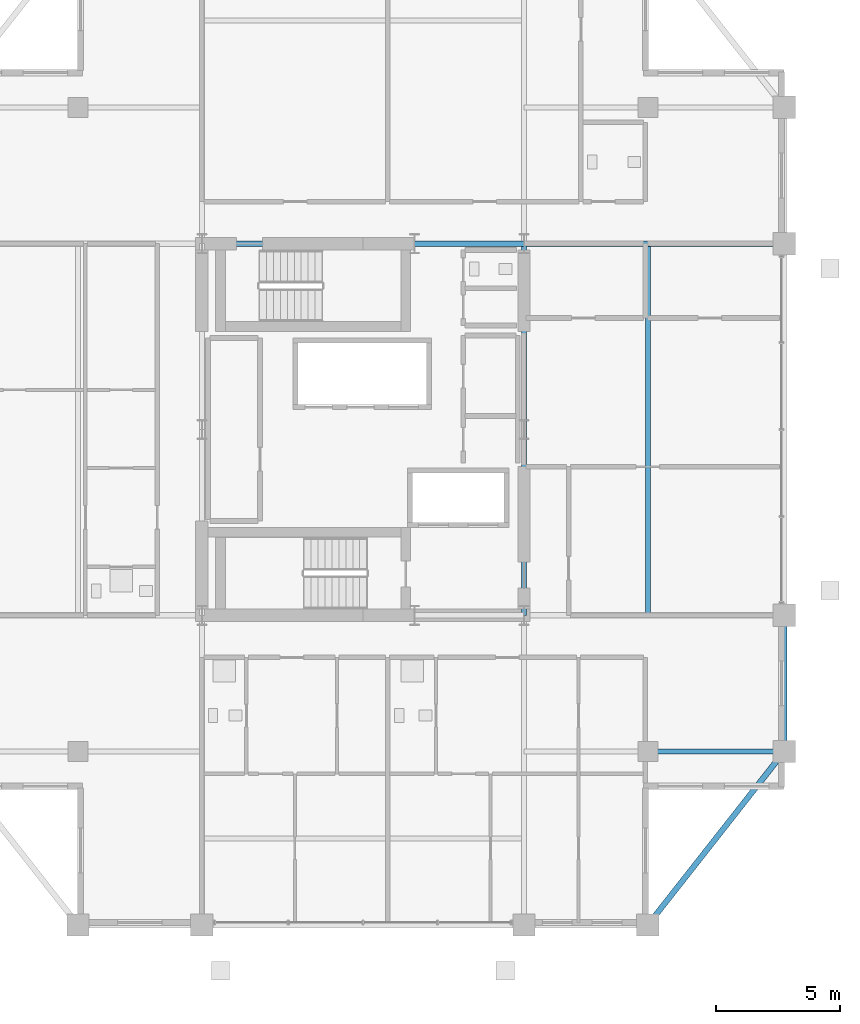
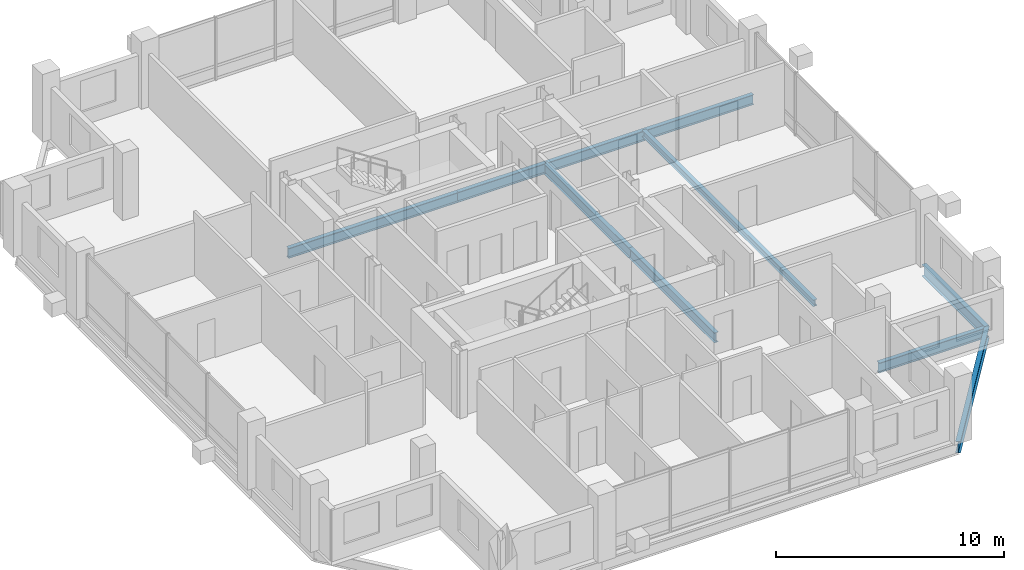
# One storey, part 9 of 21: 9 beams.
"""IFC4 building model written with IfcOpenShell, lengths in metres."""

from ifc_helpers import new_model, si_unit, direction, frame, origin, origin_2d, place, context, subcontext, project, spatial, i_section, extrude, material, material_profile, profile_set, type_object, element, save


model = new_model("IFC4")

# Units and contexts
model_context = context("Model", 3, precision=1e-05, world=origin(), true_north=direction((0.0, 1.0)))
body_context = subcontext(model_context, "Body", "Model", "MODEL_VIEW")
ifc_project = project(units=[si_unit("LENGTHUNIT", "METRE"), si_unit("AREAUNIT", "SQUARE_METRE"), si_unit("VOLUMEUNIT", "CUBIC_METRE"), si_unit("PLANEANGLEUNIT", "RADIAN"), si_unit("MASSUNIT", "GRAM", prefix="KILO")], contexts=[model_context])

# Site, building, storey
site_placement = place(None, origin())
site = spatial("IfcSite", under=ifc_project, at=site_placement, CompositionType="ELEMENT")
building_placement = place(site_placement, origin())
building = spatial("IfcBuilding", under=site, at=building_placement, Name="Barlavira Tower and Art Museum", CompositionType="ELEMENT")
storey_placement = place(building_placement, frame((0.0, 0.0, 297.89990234375)))
storey = spatial("IfcBuildingStorey", under=building, at=storey_placement, Name="L78", CompositionType="ELEMENT", Elevation=297.89990234375)

# Beams
ifc_material = material(Name="Steel S355", Category="steel")
ifc_material_profile_1 = material_profile(ifc_material, i_section(OverallWidth=0.22998046875, OverallDepth=0.616943359375, WebThickness=0.01318359375, FlangeThickness=0.022216796875, at=origin_2d()), Name="W610x140.0")
ifc_profile_set_1 = profile_set([ifc_material_profile_1], Name="Steel S355")
beam_type_1 = type_object("IfcBeamType", Name="Upper Shaft Spandrel Edge Beam W610x140 Steel S355", PredefinedType="SPANDREL", material=ifc_profile_set_1)
beam_1_placement = place(storey_placement, frame((11.5, -20.0, -0.5283203125), z_axis=(0.617821551932, 0.786318338822, 0.0), x_axis=(-0.786318338822, 0.617821551932, 0.0)))
element("IfcBeam", 1, at=beam_1_placement, inside=storey, type_object=beam_type_1, Name="L78 Spandrel 4", PredefinedType="SPANDREL", context=body_context, shape_type="SweptSolid", body=[
    extrude(i_section(OverallWidth=0.22998046875, OverallDepth=0.616943359375, WebThickness=0.01318359375, FlangeThickness=0.022216796875, at=origin_2d()), origin(), (0.0, 0.0, 1.0), 8.90234375),
])
beam_2_placement = place(storey_placement, frame((17.0, -13.0, -0.5283203125), z_axis=(0.0, 1.0, 0.0), x_axis=(-1.0, 0.0, 0.0)))
element("IfcBeam", 2, at=beam_2_placement, inside=storey, type_object=beam_type_1, Name="L78 Spandrel 5", PredefinedType="SPANDREL", context=body_context, shape_type="SweptSolid", body=[
    extrude(i_section(OverallWidth=0.22998046875, OverallDepth=0.616943359375, WebThickness=0.01318359375, FlangeThickness=0.022216796875, at=origin_2d()), origin(), (0.0, 0.0, 1.0), 5.5),
])
ifc_material_profile_2 = material_profile(ifc_material, i_section(OverallWidth=0.2109375, OverallDepth=0.5390625, WebThickness=0.01171875, FlangeThickness=0.018798828125, at=origin_2d()), Name="W530x109.0")
ifc_profile_set_2 = profile_set([ifc_material_profile_2], Name="Steel S355")
beam_type_2 = type_object("IfcBeamType", Name="Zone 3-4 Primary Floor Girder W530x109 Steel S355", PredefinedType="BEAM", material=ifc_profile_set_2)
beam_3_placement = place(storey_placement, frame((-6.5, 7.5, -0.489501953125), z_axis=(1.0, 0.0, 0.0), x_axis=(0.0, 1.0, 0.0)))
element("IfcBeam", 3, at=beam_3_placement, inside=storey, type_object=beam_type_2, Name="L78 Girder C-N1", PredefinedType="BEAM", context=body_context, shape_type="SweptSolid", body=[
    extrude(i_section(OverallWidth=0.2109375, OverallDepth=0.5390625, WebThickness=0.01171875, FlangeThickness=0.018798828125, at=origin_2d()), origin(), (0.0, 0.0, 1.0), 8.580078125),
])
beam_4_placement = place(storey_placement, frame((2.080078125, 7.5, -0.489501953125), z_axis=(1.0, 0.0, 0.0), x_axis=(0.0, 1.0, 0.0)))
element("IfcBeam", 4, at=beam_4_placement, inside=storey, type_object=beam_type_2, Name="L78 Girder C-N2", PredefinedType="BEAM", context=body_context, shape_type="SweptSolid", body=[
    extrude(i_section(OverallWidth=0.2109375, OverallDepth=0.5390625, WebThickness=0.01171875, FlangeThickness=0.018798828125, at=origin_2d()), origin(), (0.0, 0.0, 1.0), 4.419921875),
])
for number, where, z_axis, x_axis, name in (
    (5, (6.5, -7.5, -0.489501953125), (0.0, 1.0, 0.0), (-1.0, 0.0, 0.0), "L78 Girder C-E1"),
    (6, (6.5, 0.0, -0.489501953125), (0.0, 1.0, 0.0), (-1.0, 0.0, 0.0), "L78 Girder C-E2"),
):
    element("IfcBeam", number, at=place(storey_placement, frame(where, z_axis=z_axis, x_axis=x_axis)), inside=storey, type_object=beam_type_2, Name=name, PredefinedType="BEAM", context=body_context, shape_type="SweptSolid", body=[
        extrude(i_section(OverallWidth=0.2109375, OverallDepth=0.5390625, WebThickness=0.01171875, FlangeThickness=0.018798828125, at=origin_2d()), origin(), (0.0, 0.0, 1.0), 7.5),
    ])
beam_5_placement = place(storey_placement, frame((6.5, 7.5, -0.489501953125), z_axis=(1.0, 0.0, 0.0), x_axis=(0.0, 1.0, 0.0)))
element("IfcBeam", 7, at=beam_5_placement, inside=storey, type_object=beam_type_2, Name="L78 Girder R-E2", PredefinedType="BEAM", context=body_context, shape_type="SweptSolid", body=[
    extrude(i_section(OverallWidth=0.2109375, OverallDepth=0.5390625, WebThickness=0.01171875, FlangeThickness=0.018798828125, at=origin_2d()), origin(), (0.0, 0.0, 1.0), 10.5),
])
beam_6_placement = place(storey_placement, frame((11.5, -13.0, -0.489501953125), z_axis=(1.0, 0.0, 0.0), x_axis=(0.0, 1.0, 0.0)))
element("IfcBeam", 8, at=beam_6_placement, inside=storey, type_object=beam_type_2, Name="L78 Girder I-S4", PredefinedType="BEAM", context=body_context, shape_type="SweptSolid", body=[
    extrude(i_section(OverallWidth=0.2109375, OverallDepth=0.5390625, WebThickness=0.01171875, FlangeThickness=0.018798828125, at=origin_2d()), origin(), (0.0, 0.0, 1.0), 5.5),
])
ifc_material_profile_3 = material_profile(ifc_material, i_section(OverallWidth=0.202880859375, OverallDepth=0.346923828125, WebThickness=0.0078125, FlangeThickness=0.013427734375, at=origin_2d()), Name="W360x64.0")
ifc_profile_set_3 = profile_set([ifc_material_profile_3], Name="Steel S355")
beam_type_3 = type_object("IfcBeamType", Name="Zone 4 Composite Floor Joist W360x64 Steel S355", PredefinedType="JOIST", material=ifc_profile_set_3)
beam_7_placement = place(storey_placement, frame((11.5, -7.5, -0.393310546875), z_axis=(0.0, 1.0, 0.0), x_axis=(-1.0, 0.0, 0.0)))
element("IfcBeam", 9, at=beam_7_placement, inside=storey, type_object=beam_type_3, Name="L78 Joist W2", PredefinedType="JOIST", context=body_context, shape_type="SweptSolid", body=[
    extrude(i_section(OverallWidth=0.202880859375, OverallDepth=0.346923828125, WebThickness=0.0078125, FlangeThickness=0.013427734375, at=origin_2d()), origin(), (0.0, 0.0, 1.0), 15.0),
])

save(model, "model.ifc")
